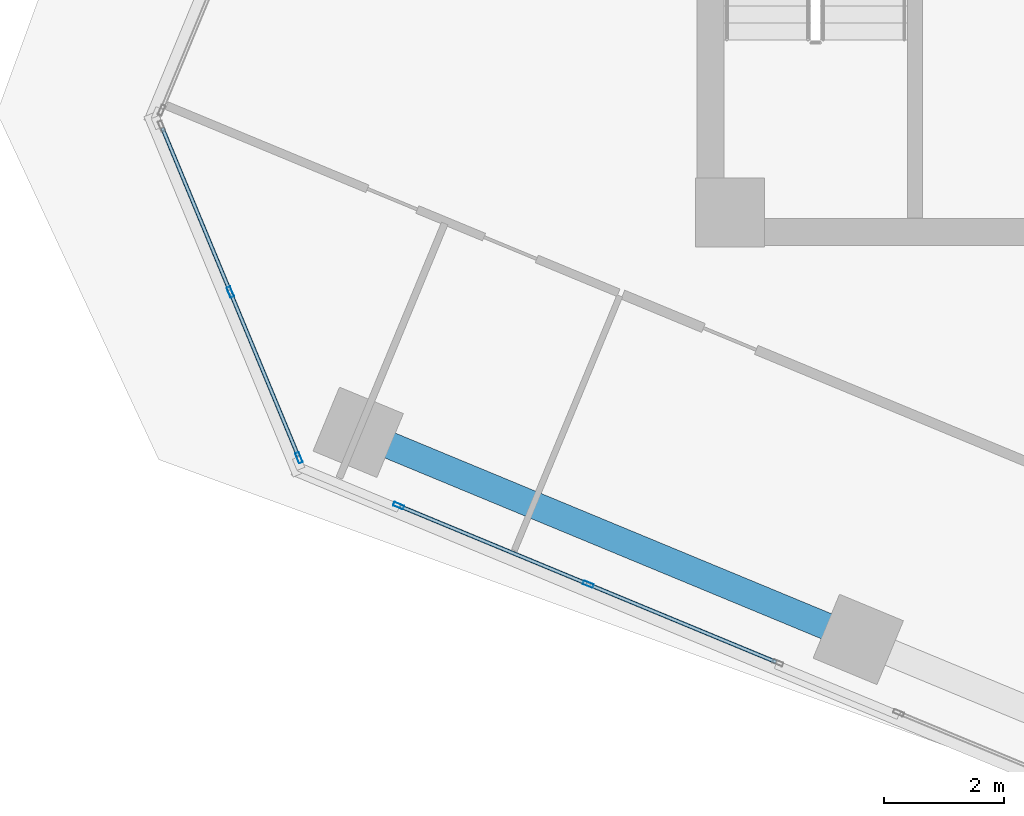
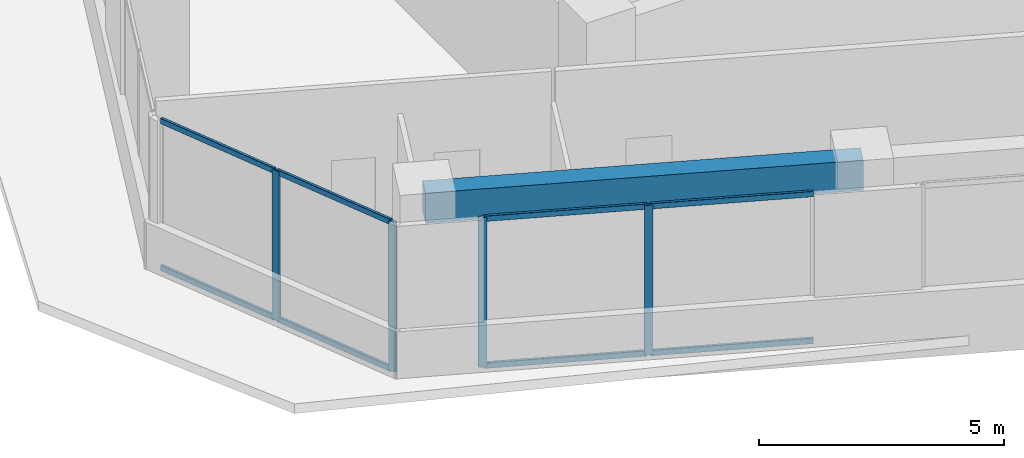
# One storey, part 3 of 24: 12 members, 1 beam, 2 elements without a shape of their own.
"""IFC4 building model written with IfcOpenShell, lengths in metres."""

import ifcopenshell
import ifcopenshell.guid

model = None  # the IFC model being written
_history = None  # IfcOwnerHistory: only IFC2X3 demands one
_inside = {}  # id of a spatial element -> (the spatial element, [elements in it])
_under = {}  # id of a project, library or spatial element -> (it, [spatial elements below it])
_declared = {}  # id of a project -> (the project, [libraries it declares])
_typed = {}  # id of a type object -> (the type object, [elements of that type])
_made_of = {}  # id of a material, layer set ... -> (it, [elements and type objects made of it])


def new_model(schema):
    """Start an empty IFC model of exactly this schema.

    Asked for "IFC4X3", IfcOpenShell would pick the latest addendum, in which some entities
    have other attributes; the version numbers below select the first issue.
    IFC2X3 requires an IfcOwnerHistory on every rooted entity: one is made here for all.
    """
    global model, _history
    if schema == "IFC4X3":
        model = ifcopenshell.file(schema_version=(4, 3, 0, 0))
    else:
        model = ifcopenshell.file(schema=schema)
    _inside.clear()
    _under.clear()
    _declared.clear()
    _typed.clear()
    _made_of.clear()
    _history = None
    if model.schema == "IFC2X3":
        org = make("IfcOrganization", Name="unknown")
        user = make(
            "IfcPersonAndOrganization",
            ThePerson=make("IfcPerson", FamilyName="unknown"),
            TheOrganization=org,
        )
        app = make(
            "IfcApplication",
            ApplicationDeveloper=org,
            Version="unknown",
            ApplicationFullName="unknown",
            ApplicationIdentifier="unknown",
        )
        _history = make(
            "IfcOwnerHistory",
            OwningUser=user,
            OwningApplication=app,
            ChangeAction="ADDED",
            CreationDate=0,
        )
    return model


def make(cls, **values):
    """One entity of the class cls with the attributes given. An attribute that is None is left unset."""
    return model.create_entity(
        cls, **{name: value for name, value in values.items() if value is not None}
    )


def rooted(cls, **values):
    """An entity with a GlobalId (a new one), such as an element, a storey or a relation."""
    return make(cls, GlobalId=ifcopenshell.guid.new(), OwnerHistory=_history, **values)


def si_unit(unit_type, name, prefix=None):
    """IfcSIUnit, for example si_unit("LENGTHUNIT", "METRE", prefix="MILLI")."""
    return make("IfcSIUnit", UnitType=unit_type, Prefix=prefix, Name=name)


def assignment(units):
    """IfcUnitAssignment: the units of a project."""
    return None if units is None else make("IfcUnitAssignment", Units=units)


def point(xyz):
    """IfcCartesianPoint."""
    return None if xyz is None else make("IfcCartesianPoint", Coordinates=xyz)


def direction(xyz):
    """IfcDirection."""
    return None if xyz is None else make("IfcDirection", DirectionRatios=xyz)


def frame(location, z_axis=None, x_axis=None):
    """IfcAxis2Placement3D, a coordinate frame: its origin and axes. An axis left out is left unset."""
    return make(
        "IfcAxis2Placement3D",
        Location=point(location),
        Axis=direction(z_axis),
        RefDirection=direction(x_axis),
    )


def frame_2d(location, x_axis=None):
    """IfcAxis2Placement2D, a coordinate frame in the plane: its origin and x axis."""
    return make(
        "IfcAxis2Placement2D", Location=point(location), RefDirection=direction(x_axis)
    )


def origin():
    """The frame at (0, 0, 0) with its axes left unset."""
    return frame((0.0, 0.0, 0.0))


def origin_2d():
    """The frame at (0, 0) in the plane with its x axis left unset."""
    return frame_2d((0.0, 0.0))


def place(relative_to, where):
    """IfcLocalPlacement: puts the frame where relative to a parent placement (None: the world)."""
    return make(
        "IfcLocalPlacement", PlacementRelTo=relative_to, RelativePlacement=where
    )


def context(
    kind, dimensions, precision=None, world=None, true_north=None, identifier=None
):
    """IfcGeometricRepresentationContext, for example the 3D "Model" context."""
    return make(
        "IfcGeometricRepresentationContext",
        ContextIdentifier=identifier,
        ContextType=kind,
        CoordinateSpaceDimension=dimensions,
        Precision=precision,
        WorldCoordinateSystem=world,
        TrueNorth=true_north,
    )


def subcontext(parent, identifier, kind, view, scale=None):
    """IfcGeometricRepresentationSubContext, for example "Body" below "Model"."""
    return make(
        "IfcGeometricRepresentationSubContext",
        ContextIdentifier=identifier,
        ContextType=kind,
        ParentContext=parent,
        TargetScale=scale,
        TargetView=view,
    )


def project(units=None, contexts=None):
    """IfcProject with its units and contexts."""
    return rooted(
        "IfcProject",
        Name="project",
        RepresentationContexts=contexts,
        UnitsInContext=assignment(units),
    )


def spatial(cls, under=None, at=None, **own):
    """A site, building, storey or space (cls), placed at a placement, below another one or the project."""
    s = rooted(cls, ObjectPlacement=at, **own)
    if under is not None:
        _under.setdefault(under.id(), (under, []))[1].append(s)
    return s


def profile(cls, at=None, kind="AREA", **sizes):
    """A parametric profile (cls). Its sizes go by their IFC names, for example OverallWidth=200.0."""
    return make(cls, ProfileType=kind, Position=at, **sizes)


def rectangle(**sizes):
    """IfcRectangleProfileDef."""
    return profile("IfcRectangleProfileDef", **sizes)


def hollow_rectangle(**sizes):
    """IfcRectangleHollowProfileDef."""
    return profile("IfcRectangleHollowProfileDef", **sizes)


def extrude(swept, where, along, depth):
    """IfcExtrudedAreaSolid: the profile swept, set in the frame where, extruded along a direction by depth."""
    return make(
        "IfcExtrudedAreaSolid",
        SweptArea=swept,
        Position=where,
        ExtrudedDirection=direction(along),
        Depth=depth,
    )


def shape(context_of_items, identifier, shape_type, items):
    """IfcShapeRepresentation: the items that make up one representation, for example the "Body"."""
    return make(
        "IfcShapeRepresentation",
        ContextOfItems=context_of_items,
        RepresentationIdentifier=identifier,
        RepresentationType=shape_type,
        Items=items,
    )


def source(mapping_origin, context_of_items, identifier, shape_type, items):
    """IfcRepresentationMap: a shape defined once, which mapped items show again and again."""
    return make(
        "IfcRepresentationMap",
        MappingOrigin=mapping_origin,
        MappedRepresentation=shape(context_of_items, identifier, shape_type, items),
    )


def transform(
    local_origin,
    x_axis=None,
    y_axis=None,
    z_axis=None,
    scale=None,
    scale2=None,
    scale3=None,
    uniform=True,
):
    """IfcCartesianTransformationOperator3D, or its non-uniform kind. x_axis, y_axis, z_axis: its Axis1, 2, 3."""
    if uniform:
        return make(
            "IfcCartesianTransformationOperator3D",
            Axis1=direction(x_axis),
            Axis2=direction(y_axis),
            LocalOrigin=point(local_origin),
            Scale=scale,
            Axis3=direction(z_axis),
        )
    return make(
        "IfcCartesianTransformationOperator3DnonUniform",
        Axis1=direction(x_axis),
        Axis2=direction(y_axis),
        LocalOrigin=point(local_origin),
        Scale=scale,
        Axis3=direction(z_axis),
        Scale2=scale2,
        Scale3=scale3,
    )


def mapped(mapping_source, mapping_target):
    """IfcMappedItem: shows the shape of a source again, moved by a transform."""
    return make(
        "IfcMappedItem", MappingSource=mapping_source, MappingTarget=mapping_target
    )


def material(Name=None, Category=None):
    """IfcMaterial."""
    return make("IfcMaterial", Name=Name, Category=Category)


def material_profile(
    of_material, cross_section, Name=None, Category=None, Priority=None
):
    """IfcMaterialProfile: a cross section and its material."""
    return make(
        "IfcMaterialProfile",
        Name=Name,
        Material=of_material,
        Profile=cross_section,
        Priority=Priority,
        Category=Category,
    )


def profile_set(profiles, Name=None, composite=None):
    """IfcMaterialProfileSet."""
    return make(
        "IfcMaterialProfileSet",
        Name=Name,
        MaterialProfiles=profiles,
        CompositeProfile=composite,
    )


def made_of(thing, what):
    """Note that an element or type object is made of a material, layer set ...; save() writes the relation."""
    if what is not None:
        _made_of.setdefault(what.id(), (what, []))[1].append(thing)
    return thing


def type_object(cls, material=None, **own):
    """A type object (cls), such as IfcWallType, which elements share."""
    return made_of(rooted(cls, **own), material)


def element(
    cls,
    number,
    at=None,
    inside=None,
    cuts=None,
    type_object=None,
    material=None,
    context=None,
    identifier="Body",
    shape_type=None,
    held_by="IfcProductDefinitionShape",
    body=None,
    shapes=None,
    **own,
):
    """One element of the class cls, such as IfcWall. Its Tag is "e" and its number.

    at: its placement. inside: the storey or other place that contains it. cuts: it is an
    opening in that element (IfcRelVoidsElement). A single representation is given by context,
    identifier, shape_type and body (its items); several are given by shapes. held_by: the class
    of the entity that holds the representations. save() writes the other relations.
    """
    e = rooted(cls, Tag="e%d" % number, ObjectPlacement=at, **own)
    if body is not None:
        shapes = [shape(context, identifier, shape_type, body)]
    if shapes is not None:
        e.Representation = make(held_by, Representations=shapes)
    if inside is not None:
        _inside.setdefault(inside.id(), (inside, []))[1].append(e)
    if cuts is not None:
        rooted(
            "IfcRelVoidsElement", RelatingBuildingElement=cuts, RelatedOpeningElement=e
        )
    if type_object is not None:
        _typed.setdefault(type_object.id(), (type_object, []))[1].append(e)
    return made_of(e, material)


def aggregate(whole, parts):
    """IfcRelAggregates: a whole, such as a stair, and the parts it consists of."""
    return rooted("IfcRelAggregates", RelatingObject=whole, RelatedObjects=parts)


def save(model, path):
    """Write the relations noted so far, then the file.

    IfcRelAggregates (storeys below a building ...), IfcRelContainedInSpatialStructure (elements
    in a storey), IfcRelDefinesByType, IfcRelAssociatesMaterial and IfcRelDeclares: one each for
    every whole, place, type object, material and project.
    """
    for whole, parts in _under.values():
        aggregate(whole, parts)
    for where, things in _inside.values():
        rooted(
            "IfcRelContainedInSpatialStructure",
            RelatedElements=things,
            RelatingStructure=where,
        )
    for kind, things in _typed.values():
        rooted("IfcRelDefinesByType", RelatedObjects=things, RelatingType=kind)
    for what, things in _made_of.values():
        rooted("IfcRelAssociatesMaterial", RelatedObjects=things, RelatingMaterial=what)
    for by, libraries in _declared.values():
        rooted("IfcRelDeclares", RelatingContext=by, RelatedDefinitions=libraries)
    model.write(path)


model = new_model("IFC4")

# Units and contexts
model_context = context("Model", 3, precision=1e-05, world=origin(), true_north=direction((0.0, 1.0)))
body_context = subcontext(model_context, "Body", "Model", "MODEL_VIEW")
ifc_project = project(units=[si_unit("LENGTHUNIT", "METRE"), si_unit("AREAUNIT", "SQUARE_METRE"), si_unit("VOLUMEUNIT", "CUBIC_METRE"), si_unit("PLANEANGLEUNIT", "RADIAN"), si_unit("MASSUNIT", "GRAM", prefix="KILO")], contexts=[model_context])

# Site, building, storey
site_placement = place(None, origin())
site = spatial("IfcSite", under=ifc_project, at=site_placement, CompositionType="ELEMENT")
building_placement = place(site_placement, origin())
building = spatial("IfcBuilding", under=site, at=building_placement, Name="Torre Montelarca", CompositionType="ELEMENT")
storey_placement = place(building_placement, frame((0.0, 0.0, 141.39990234375)))
storey = spatial("IfcBuildingStorey", under=building, at=storey_placement, Name="L31", CompositionType="ELEMENT", Elevation=141.39990234375)

# Beam
ifc_material_1 = material(Name="Concrete C55/67", Category="concrete")
ifc_material_profile_1 = material_profile(ifc_material_1, rectangle(XDim=0.449951171875, YDim=0.75, at=origin_2d()), Name="RCB450X750", Category="concrete")
ifc_profile_set_1 = profile_set([ifc_material_profile_1], Name="Concrete C55/67")
beam_type = type_object("IfcBeamType", Name="BM-SP-RC750-EXT", PredefinedType="SPANDREL", material=ifc_profile_set_1)
shared_shape_1 = source(origin(), body_context, "Body", "SweptSolid", [
    extrude(rectangle(XDim=0.449951171875, YDim=0.75, at=origin_2d()), origin(), (0.0, 0.0, 1.0), 9.0),
])
beam_placement = place(storey_placement, frame((3.369384765625, 20.892822265625, 3.585205078125), z_axis=(0.923882270716, -0.382676821686, 0.0), x_axis=(0.382676821686, 0.923882270716, 0.0)))
element("IfcBeam", 1, at=beam_placement, inside=storey, type_object=beam_type, Name="L31 Grid Girder X 9.0-18.0 at Y=14.8", PredefinedType="SPANDREL", context=body_context, shape_type="MappedRepresentation", body=[
    mapped(shared_shape_1, transform((0.0, 0.0, 0.0), scale=1.0)),
])

# Curtain wall, members
ifc_material_2 = material(Name="Insulated low-E laminated glass", Category="glass")
curtain_wall_type = type_object("IfcCurtainWallType", Name="CW-SYS-Z2", PredefinedType="USERDEFINED", material=ifc_material_2)
curtain_wall_1_placement = place(storey_placement, origin())
curtain_wall_1 = element("IfcCurtainWall", 2, at=curtain_wall_1_placement, inside=storey, type_object=curtain_wall_type, Name="L31 Curtain Wall Run CW-T3-L31-E11-B1", ObjectType="UNITISED GLAZING", PredefinedType="USERDEFINED")
ifc_material_3 = material(Name="Anodised aluminium AA 6063-T6", Category="aluminium")
ifc_material_profile_2 = material_profile(ifc_material_3, hollow_rectangle(XDim=0.06494140625, YDim=0.139892578125, WallThickness=0.00390625, InnerFilletRadius=0.00390625, OuterFilletRadius=0.008056640625, at=origin_2d()), Name="ALU65X140X4", Category="aluminium")
ifc_profile_set_2 = profile_set([ifc_material_profile_2], Name="Anodised aluminium AA 6063-T6")
member_type_1 = type_object("IfcMemberType", Name="CWT-ALU140", PredefinedType="USERDEFINED", material=ifc_profile_set_2)
shared_shape_2 = source(origin(), body_context, "Body", "SweptSolid", [
    extrude(hollow_rectangle(XDim=0.06494140625, YDim=0.139892578125, WallThickness=0.00390625, InnerFilletRadius=0.00390625, OuterFilletRadius=0.008056640625, at=origin_2d()), origin(), (0.0, 0.0, 1.0), 2.918701171875),
])
member_1_placement = place(storey_placement, frame((1.2548828125, 23.1962890625, 0.03271484375), z_axis=(0.382684232268, -0.92387920118, 0.0), x_axis=(0.92387920118, 0.382684232268, 0.0)))
member_1 = element("IfcMember", 3, at=member_1_placement, type_object=member_type_1, Name="CW transom 2.1", ObjectType="TRANSOM", PredefinedType="USERDEFINED", context=body_context, shape_type="MappedRepresentation", body=[
    mapped(shared_shape_2, transform((0.0, 0.0, 0.0), scale=1.0)),
])
member_2_placement = place(storey_placement, frame((1.2548828125, 23.1962890625, 3.6875), z_axis=(0.382684232268, -0.92387920118, 0.0), x_axis=(0.92387920118, 0.382684232268, 0.0)))
member_2 = element("IfcMember", 4, at=member_2_placement, type_object=member_type_1, Name="CW transom 2.2", ObjectType="TRANSOM", PredefinedType="USERDEFINED", context=body_context, shape_type="MappedRepresentation", body=[
    mapped(shared_shape_2, transform((0.0, 0.0, 0.0), scale=1.0)),
])
shared_shape_3 = source(origin(), body_context, "Body", "SweptSolid", [
    extrude(hollow_rectangle(XDim=0.06494140625, YDim=0.139892578125, WallThickness=0.00390625, InnerFilletRadius=0.00390625, OuterFilletRadius=0.008056640625, at=origin_2d()), origin(), (0.0, 0.0, 1.0), 2.91845703125),
])
member_3_placement = place(storey_placement, frame((0.113037109375, 25.95263671875, 0.03271484375), z_axis=(0.382713808028, -0.923866949915, 0.0), x_axis=(0.923866949915, 0.382713808028, 0.0)))
member_3 = element("IfcMember", 5, at=member_3_placement, type_object=member_type_1, Name="CW transom 1.1", ObjectType="TRANSOM", PredefinedType="USERDEFINED", context=body_context, shape_type="MappedRepresentation", body=[
    mapped(shared_shape_3, transform((0.0, 0.0, 0.0), scale=1.0)),
])
member_4_placement = place(storey_placement, frame((0.113037109375, 25.95263671875, 3.6875), z_axis=(0.382713808028, -0.923866949915, 0.0), x_axis=(0.923866949915, 0.382713808028, 0.0)))
member_4 = element("IfcMember", 6, at=member_4_placement, type_object=member_type_1, Name="CW transom 1.2", ObjectType="TRANSOM", PredefinedType="USERDEFINED", context=body_context, shape_type="MappedRepresentation", body=[
    mapped(shared_shape_3, transform((0.0, 0.0, 0.0), scale=1.0)),
])

curtain_wall_2_placement = place(storey_placement, origin())
curtain_wall_2 = element("IfcCurtainWall", 7, at=curtain_wall_2_placement, inside=storey, type_object=curtain_wall_type, Name="L31 Curtain Wall Run CW-T3-L31-E01-B1", ObjectType="UNITISED GLAZING", PredefinedType="USERDEFINED")
ifc_material_profile_3 = material_profile(ifc_material_3, hollow_rectangle(XDim=0.06494140625, YDim=0.179931640625, WallThickness=0.00390625, InnerFilletRadius=0.00390625, OuterFilletRadius=0.008056640625, at=origin_2d()), Name="ALU65X180X4", Category="aluminium")
ifc_profile_set_3 = profile_set([ifc_material_profile_3], Name="Anodised aluminium AA 6063-T6")
member_type_2 = type_object("IfcMemberType", Name="CWM-ALU180", PredefinedType="MULLION", material=ifc_profile_set_3)
shared_shape_4 = source(origin(), body_context, "Body", "SweptSolid", [
    extrude(hollow_rectangle(XDim=0.06494140625, YDim=0.179931640625, WallThickness=0.00390625, InnerFilletRadius=0.00390625, OuterFilletRadius=0.008056640625, at=origin_2d()), origin(), (0.0, 0.0, 1.0), 3.72021484375),
])
member_5_placement = place(storey_placement, frame((4.041259765625, 19.6728515625, 0.0), z_axis=(0.0, 0.0, 1.0), x_axis=(0.382691483643, 0.923876197522, 0.0)))
member_5 = element("IfcMember", 8, at=member_5_placement, type_object=member_type_2, Name="CW mullion 1", PredefinedType="MULLION", context=body_context, shape_type="MappedRepresentation", body=[
    mapped(shared_shape_4, transform((0.0, 0.0, 0.0), scale=1.0)),
])
member_6_placement = place(storey_placement, frame((7.19384765625, 18.366943359375, 0.0), z_axis=(0.0, 0.0, 1.0), x_axis=(0.382691483643, 0.923876197522, 0.0)))
member_6 = element("IfcMember", 9, at=member_6_placement, type_object=member_type_2, Name="CW mullion 2", PredefinedType="MULLION", context=body_context, shape_type="MappedRepresentation", body=[
    mapped(shared_shape_4, transform((0.0, 0.0, 0.0), scale=1.0)),
])

# Member
member_7_placement = place(storey_placement, frame((1.242431640625, 23.226318359375, 0.0), z_axis=(0.0, 0.0, 1.0), x_axis=(0.923880246577, 0.382681708452, 0.0)))
member_7 = element("IfcMember", 10, at=member_7_placement, type_object=member_type_2, Name="CW mullion 2", PredefinedType="MULLION", context=body_context, shape_type="MappedRepresentation", body=[
    mapped(shared_shape_4, transform((0.0, 0.0, 0.0), scale=1.0)),
])

member_8_placement = place(storey_placement, frame((2.38427734375, 20.4697265625, 0.0), z_axis=(0.0, 0.0, 1.0), x_axis=(0.923880246577, 0.382681708452, 0.0)))
member_8 = element("IfcMember", 11, at=member_8_placement, type_object=member_type_2, Name="CW mullion 3", PredefinedType="MULLION", context=body_context, shape_type="MappedRepresentation", body=[
    mapped(shared_shape_4, transform((0.0, 0.0, 0.0), scale=1.0)),
])

aggregate(curtain_wall_1, [member_7, member_8, member_3, member_4, member_1, member_2])

shared_shape_5 = source(origin(), body_context, "Body", "SweptSolid", [
    extrude(hollow_rectangle(XDim=0.06494140625, YDim=0.139892578125, WallThickness=0.00390625, InnerFilletRadius=0.00390625, OuterFilletRadius=0.008056640625, at=origin_2d()), origin(), (0.0, 0.0, 1.0), 3.34765625),
])
member_9_placement = place(storey_placement, frame((7.223876953125, 18.3544921875, 0.03271484375), z_axis=(0.923886169615, -0.382667408586, 0.0), x_axis=(0.382667408586, 0.923886169615, 0.0)))
member_9 = element("IfcMember", 12, at=member_9_placement, type_object=member_type_1, Name="CW transom 2.1", ObjectType="TRANSOM", PredefinedType="USERDEFINED", context=body_context, shape_type="MappedRepresentation", body=[
    mapped(shared_shape_5, transform((0.0, 0.0, 0.0), scale=1.0)),
])

member_10_placement = place(storey_placement, frame((7.223876953125, 18.3544921875, 3.6875), z_axis=(0.923886169615, -0.382667408586, 0.0), x_axis=(0.382667408586, 0.923886169615, 0.0)))
member_10 = element("IfcMember", 13, at=member_10_placement, type_object=member_type_1, Name="CW transom 2.2", ObjectType="TRANSOM", PredefinedType="USERDEFINED", context=body_context, shape_type="MappedRepresentation", body=[
    mapped(shared_shape_5, transform((0.0, 0.0, 0.0), scale=1.0)),
])

shared_shape_6 = source(origin(), body_context, "Body", "SweptSolid", [
    extrude(hollow_rectangle(XDim=0.06494140625, YDim=0.139892578125, WallThickness=0.00390625, InnerFilletRadius=0.00390625, OuterFilletRadius=0.008056640625, at=origin_2d()), origin(), (0.0, 0.0, 1.0), 3.347412109375),
])
member_11_placement = place(storey_placement, frame((4.0712890625, 19.660400390625, 0.03271484375), z_axis=(0.923875488976, -0.382693194178, 0.0), x_axis=(0.382693194178, 0.923875488976, 0.0)))
member_11 = element("IfcMember", 14, at=member_11_placement, type_object=member_type_1, Name="CW transom 1.1", ObjectType="TRANSOM", PredefinedType="USERDEFINED", context=body_context, shape_type="MappedRepresentation", body=[
    mapped(shared_shape_6, transform((0.0, 0.0, 0.0), scale=1.0)),
])

member_12_placement = place(storey_placement, frame((4.0712890625, 19.660400390625, 3.6875), z_axis=(0.923875488976, -0.382693194178, 0.0), x_axis=(0.382693194178, 0.923875488976, 0.0)))
member_12 = element("IfcMember", 15, at=member_12_placement, type_object=member_type_1, Name="CW transom 1.2", ObjectType="TRANSOM", PredefinedType="USERDEFINED", context=body_context, shape_type="MappedRepresentation", body=[
    mapped(shared_shape_6, transform((0.0, 0.0, 0.0), scale=1.0)),
])

aggregate(curtain_wall_2, [member_5, member_6, member_11, member_12, member_9, member_10])

save(model, "model.ifc")
